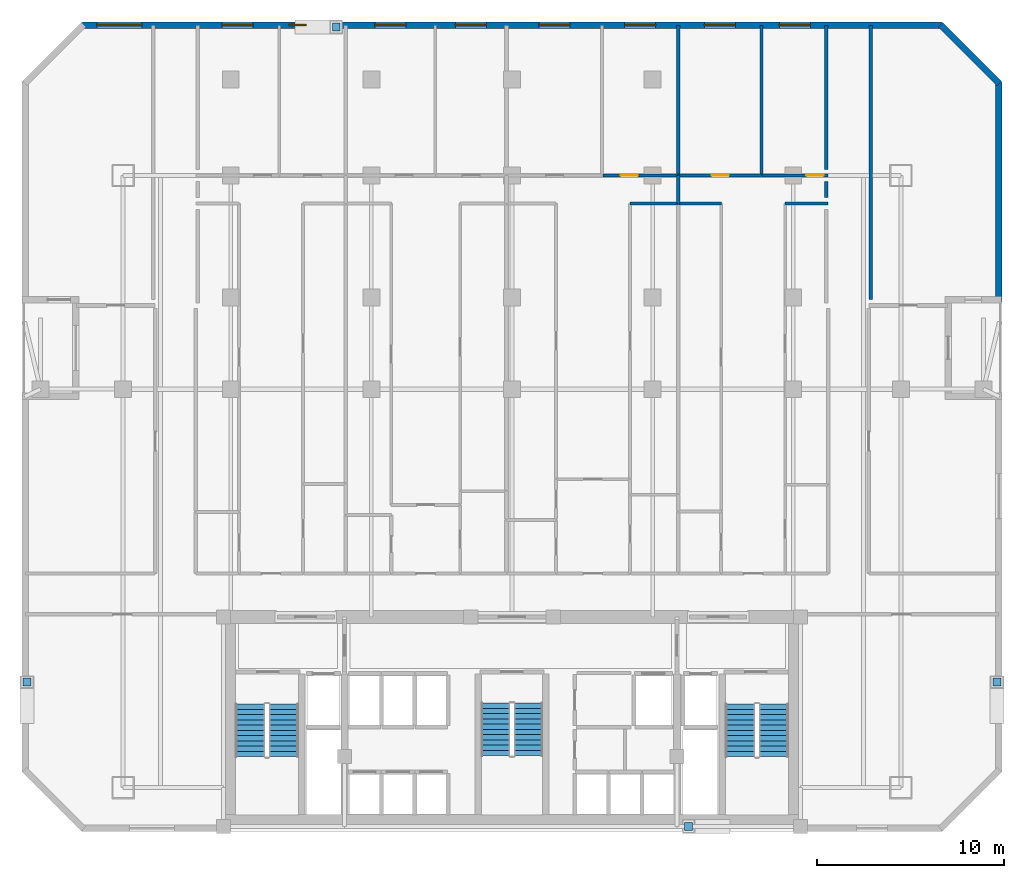
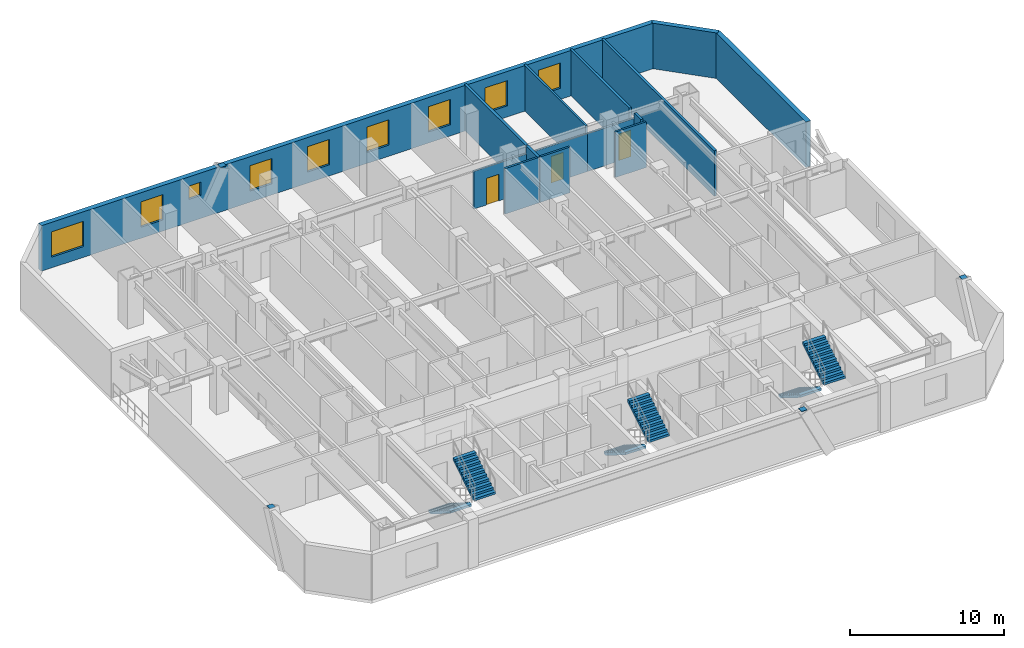
# One storey, part 7 of 9: 15 walls, 9 windows, 6 stair flights, 4 discrete accessories, 3 doors, 12 openings, 3 elements without a shape of their own.
"""IFC4 building model written with IfcOpenShell, lengths in metres."""

from ifc_helpers import new_model, si_unit, direction, frame, frame_2d, origin, origin_2d, place, context, subcontext, project, spatial, polyline, rectangle, outline, extrude, material, layer, layer_set, type_object, element, fill, aggregate, save


model = new_model("IFC4")

# Units and contexts
model_context = context("Model", 3, precision=1e-05, world=origin(), true_north=direction((0.0, 1.0)))
body_context = subcontext(model_context, "Body", "Model", "MODEL_VIEW")
ifc_project = project(units=[si_unit("LENGTHUNIT", "METRE"), si_unit("AREAUNIT", "SQUARE_METRE"), si_unit("VOLUMEUNIT", "CUBIC_METRE"), si_unit("PLANEANGLEUNIT", "RADIAN"), si_unit("MASSUNIT", "GRAM", prefix="KILO")], contexts=[model_context])

# Site, building, storey
site_placement = place(None, origin())
site = spatial("IfcSite", under=ifc_project, at=site_placement, CompositionType="ELEMENT")
building_placement = place(site_placement, origin())
building = spatial("IfcBuilding", under=site, at=building_placement, Name="Ventersveld Concourse Tower", CompositionType="ELEMENT")
storey_placement = place(building_placement, frame((0.0, 0.0, 100.300048828125)))
storey = spatial("IfcBuildingStorey", under=building, at=storey_placement, Name="L24", CompositionType="ELEMENT", Elevation=100.300048828125)

# Walls
ifc_material_1 = material(Name="Fire-rated autoclaved aerated masonry blockwork", Category="masonry")
ifc_layer_1 = layer(ifc_material_1, 0.179931640625)
ifc_layer_set_1 = layer_set([ifc_layer_1], Name="Fire-rated autoclaved aerated masonry blockwork")
wall_type_1 = type_object("IfcWallType", Name="WL-CORR-180", PredefinedType="PARTITIONING", material=ifc_layer_set_1)
wall_1_placement = place(storey_placement, frame((47.8798828125, 28.39501953125, 0.0), z_axis=(0.0, 0.0, 1.0), x_axis=(0.0, 1.0, 0.0)))
element("IfcWall", 1, at=wall_1_placement, inside=storey, type_object=wall_type_1, Name="L24 Room Enclosure Wall SP-L24-NELNG2", PredefinedType="PARTITIONING", context=body_context, shape_type="SweptSolid", body=[
    extrude(rectangle(XDim=14.594970703125, YDim=0.179931640625, at=frame_2d((7.29736328125, 0.0))), origin(), (0.0, 0.0, 1.0), 3.599853515625),
])
wall_2_placement = place(storey_placement, frame((45.52001953125, 34.675048828125, 0.0), z_axis=(0.0, 0.0, 1.0), x_axis=(0.0, -1.0, 0.0)))
element("IfcWall", 2, at=wall_2_placement, inside=storey, type_object=wall_type_1, Name="L24 Room Enclosure Wall SP-L24-24N4-LIV", PredefinedType="PARTITIONING", context=body_context, shape_type="SweptSolid", body=[
    extrude(rectangle(XDim=0.85009765625, YDim=0.179931640625, at=frame_2d((0.425048828125, 0.0))), origin(), (0.0, 0.0, 1.0), 3.599853515625),
])
wall_3_placement = place(storey_placement, frame((45.52001953125, 42.989990234375, 0.0), z_axis=(0.0, 0.0, 1.0), x_axis=(0.0, -1.0, 0.0)))
element("IfcWall", 3, at=wall_3_placement, inside=storey, type_object=wall_type_1, Name="L24 Room Enclosure Wall SP-L24-24N4-BR2", PredefinedType="PARTITIONING", context=body_context, shape_type="SweptSolid", body=[
    extrude(rectangle(XDim=7.6650390625, YDim=0.179931640625, at=frame_2d((3.83251953125, 0.0))), origin(), (0.0, 0.0, 1.0), 3.599853515625),
])
ifc_layer_2 = layer(ifc_material_1, 0.199951171875)
ifc_layer_set_2 = layer_set([ifc_layer_2], Name="Fire-rated autoclaved aerated masonry blockwork")
wall_type_2 = type_object("IfcWallType", Name="WL-DEMISE-200", PredefinedType="PARTITIONING", material=ifc_layer_set_2)
wall_4_placement = place(storey_placement, frame((37.620849609375, 33.4951171875, 0.0), z_axis=(0.0, 0.0, 1.0), x_axis=(0.0, 1.0, 0.0)))
element("IfcWall", 4, at=wall_4_placement, inside=storey, type_object=wall_type_2, Name="L24 Interior Partition SP-L24-24N3-LIV-SP-L24-24N4-LIV", PredefinedType="PARTITIONING", context=body_context, shape_type="SweptSolid", body=[
    extrude(rectangle(XDim=1.509765625, YDim=0.199951171875, at=frame_2d((0.7548828125, 0.0))), origin(), (0.0, 0.0, 1.0), 3.599853515625),
])
wall_5_placement = place(storey_placement, frame((37.620849609375, 35.034912109375, 0.0), z_axis=(0.0, 0.0, 1.0), x_axis=(0.0, 1.0, 0.0)))
element("IfcWall", 5, at=wall_5_placement, inside=storey, type_object=wall_type_2, Name="L24 Interior Partition SP-L24-24N3-BR2-SP-L24-24N4-BR1", PredefinedType="PARTITIONING", context=body_context, shape_type="SweptSolid", body=[
    extrude(rectangle(XDim=7.955078125, YDim=0.199951171875, at=frame_2d((3.9775390625, 0.0))), origin(), (0.0, 0.0, 1.0), 3.599853515625),
])
ifc_material_2 = material(Name="Autoclaved aerated masonry blockwork", Category="masonry")
ifc_layer_3 = layer(ifc_material_2, 0.14990234375)
ifc_layer_set_3 = layer_set([ifc_layer_3], Name="Autoclaved aerated masonry blockwork")
wall_type_3 = type_object("IfcWallType", Name="WL-INT-150", PredefinedType="PARTITIONING", material=ifc_layer_set_3)
wall_6_placement = place(storey_placement, frame((35.04736328125, 33.5, 0.0), z_axis=(0.0, 0.0, 1.0), x_axis=(1.0, 0.0, 0.0)))
element("IfcWall", 6, at=wall_6_placement, inside=storey, type_object=wall_type_3, Name="L24 Interior Partition SP-L24-24N3-LIV-SP-L24-24N3-DENR", PredefinedType="PARTITIONING", context=body_context, shape_type="SweptSolid", body=[
    extrude(rectangle(XDim=2.578369140625, YDim=0.14990234375, at=frame_2d((1.2890625, 0.0))), origin(), (0.0, 0.0, 1.0), 3.599853515625),
])

# Wall, opening, door
wall_7_placement = place(storey_placement, frame((33.59130859375, 35.0, 0.0), z_axis=(0.0, 0.0, 1.0), x_axis=(1.0, 0.0, 0.0)))
wall_7 = element("IfcWall", 7, at=wall_7_placement, inside=storey, type_object=wall_type_3, Name="L24 Interior Partition SP-L24-24N3-LIV-SP-L24-24N3-BR2", PredefinedType="PARTITIONING", context=body_context, shape_type="SweptSolid", body=[
    extrude(rectangle(XDim=4.034423828125, YDim=0.14990234375, at=frame_2d((2.01708984375, 0.0))), origin(), (0.0, 0.0, 1.0), 2.982666015625),
])
opening_1_placement = place(wall_7_placement, frame((0.951904296875, 0.0, 0.0)))
opening_1 = element("IfcOpeningElement", 8, at=opening_1_placement, cuts=wall_7, Name="Opening ID1", PredefinedType="OPENING", context=body_context, shape_type="SweptSolid", body=[
    extrude(rectangle(XDim=0.919921875, YDim=2.10009765625, at=frame_2d((0.4599609375, 1.050048828125))), frame((0.0, 0.0849609375, 0.0), z_axis=(0.0, -1.0, 0.0), x_axis=(1.0, 0.0, 0.0)), (0.0, 0.0, 1.0), 0.169921875),
])
ifc_material_3 = material(Name="Solid-core hardwood veneer timber", Category="wood")
door_type = type_object("IfcDoorType", Name="DR-ROOM-092", OperationType="NOTDEFINED", PredefinedType="DOOR", material=ifc_material_3)
door_1_placement = place(opening_1_placement, origin())
door_1 = element("IfcDoor", 9, at=door_1_placement, inside=storey, type_object=door_type, Name="L24 Interior Door SP-L24-24N3-LIV to SP-L24-24N3-BR2 (D-L24-1202)", OperationType="SINGLE_SWING_RIGHT", OverallHeight=2.10009765625, OverallWidth=0.919921875, PredefinedType="DOOR", context=body_context, shape_type="SweptSolid", body=[
    extrude(rectangle(XDim=0.919921875, YDim=2.10009765625, at=frame_2d((0.4599609375, 1.050048828125))), frame((0.0, 0.02490234375, 0.0), z_axis=(0.0, -1.0, 0.0), x_axis=(1.0, 0.0, 0.0)), (0.0, 0.0, 1.0), 0.050048828125),
])
fill(opening_1, door_1)

# Walls
wall_8_placement = place(storey_placement, frame((37.65576171875, 33.5, 0.0), z_axis=(0.0, 0.0, 1.0), x_axis=(1.0, 0.0, 0.0)))
element("IfcWall", 10, at=wall_8_placement, inside=storey, type_object=wall_type_3, Name="L24 Interior Partition SP-L24-24N4-LIV-SP-L24-24N4-DENL", PredefinedType="PARTITIONING", context=body_context, shape_type="SweptSolid", body=[
    extrude(rectangle(XDim=2.258544921875, YDim=0.14990234375, at=frame_2d((1.12939453125, 0.0))), origin(), (0.0, 0.0, 1.0), 3.599853515625),
])
wall_9_placement = place(storey_placement, frame((43.31640625, 33.5, 0.0), z_axis=(0.0, 0.0, 1.0), x_axis=(1.0, 0.0, 0.0)))
element("IfcWall", 11, at=wall_9_placement, inside=storey, type_object=wall_type_3, Name="L24 Interior Partition SP-L24-24N4-LIV-SP-L24-24N4-DENR", PredefinedType="PARTITIONING", context=body_context, shape_type="SweptSolid", body=[
    extrude(rectangle(XDim=2.298583984375, YDim=0.14990234375, at=frame_2d((1.1494140625, 0.0))), origin(), (0.0, 0.0, 1.0), 3.599853515625),
])

# Wall, opening, door
wall_10_placement = place(storey_placement, frame((37.65576171875, 35.0, 0.0), z_axis=(0.0, 0.0, 1.0), x_axis=(1.0, 0.0, 0.0)))
wall_10 = element("IfcWall", 12, at=wall_10_placement, inside=storey, type_object=wall_type_3, Name="L24 Interior Partition SP-L24-24N4-LIV-SP-L24-24N4-BR1", PredefinedType="PARTITIONING", context=body_context, shape_type="SweptSolid", body=[
    extrude(rectangle(XDim=4.413330078125, YDim=0.14990234375, at=frame_2d((2.20654296875, 0.0))), origin(), (0.0, 0.0, 1.0), 2.982666015625),
])
opening_2_placement = place(wall_10_placement, frame((1.74658203125, 0.0, 0.0)))
opening_2 = element("IfcOpeningElement", 13, at=opening_2_placement, cuts=wall_10, Name="Opening ID1", PredefinedType="OPENING", context=body_context, shape_type="SweptSolid", body=[
    extrude(rectangle(XDim=0.919921875, YDim=2.10009765625, at=frame_2d((0.4599609375, 1.050048828125))), frame((0.0, 0.0849609375, 0.0), z_axis=(0.0, -1.0, 0.0), x_axis=(1.0, 0.0, 0.0)), (0.0, 0.0, 1.0), 0.169921875),
])
door_2_placement = place(opening_2_placement, origin())
door_2 = element("IfcDoor", 14, at=door_2_placement, inside=storey, type_object=door_type, Name="L24 Interior Door SP-L24-24N4-LIV to SP-L24-24N4-BR1 (D-L24-1207)", OperationType="SINGLE_SWING_LEFT", OverallHeight=2.10009765625, OverallWidth=0.919921875, PredefinedType="DOOR", context=body_context, shape_type="SweptSolid", body=[
    extrude(rectangle(XDim=0.919921875, YDim=2.10009765625, at=frame_2d((0.4599609375, 1.050048828125))), frame((0.0, 0.02490234375, 0.0), z_axis=(0.0, -1.0, 0.0), x_axis=(1.0, 0.0, 0.0)), (0.0, 0.0, 1.0), 0.050048828125),
])
fill(opening_2, door_2)

wall_11_placement = place(storey_placement, frame((42.09912109375, 35.0, 0.0), z_axis=(0.0, 0.0, 1.0), x_axis=(1.0, 0.0, 0.0)))
wall_11 = element("IfcWall", 15, at=wall_11_placement, inside=storey, type_object=wall_type_3, Name="L24 Interior Partition SP-L24-24N4-LIV-SP-L24-24N4-BR2", PredefinedType="PARTITIONING", context=body_context, shape_type="SweptSolid", body=[
    extrude(rectangle(XDim=3.515869140625, YDim=0.14990234375, at=frame_2d((1.7578125, 0.0))), origin(), (0.0, 0.0, 1.0), 2.982666015625),
])
opening_3_placement = place(wall_11_placement, frame((2.3525390625, 0.0, 0.0)))
opening_3 = element("IfcOpeningElement", 16, at=opening_3_placement, cuts=wall_11, Name="Opening ID1", PredefinedType="OPENING", context=body_context, shape_type="SweptSolid", body=[
    extrude(rectangle(XDim=0.919921875, YDim=2.10009765625, at=frame_2d((0.4599609375, 1.050048828125))), frame((0.0, 0.0849609375, 0.0), z_axis=(0.0, -1.0, 0.0), x_axis=(1.0, 0.0, 0.0)), (0.0, 0.0, 1.0), 0.169921875),
])
door_3_placement = place(opening_3_placement, origin())
door_3 = element("IfcDoor", 17, at=door_3_placement, inside=storey, type_object=door_type, Name="L24 Interior Door SP-L24-24N4-LIV to SP-L24-24N4-BR2 (D-L24-1208)", OperationType="SINGLE_SWING_RIGHT", OverallHeight=2.10009765625, OverallWidth=0.919921875, PredefinedType="DOOR", context=body_context, shape_type="SweptSolid", body=[
    extrude(rectangle(XDim=0.919921875, YDim=2.10009765625, at=frame_2d((0.4599609375, 1.050048828125))), frame((0.0, 0.02490234375, 0.0), z_axis=(0.0, -1.0, 0.0), x_axis=(1.0, 0.0, 0.0)), (0.0, 0.0, 1.0), 0.050048828125),
])
fill(opening_3, door_3)

# Walls
wall_12_placement = place(storey_placement, frame((42.064208984375, 34.9951171875, 0.0), z_axis=(0.0, 0.0, 1.0), x_axis=(0.0, 1.0, 0.0)))
element("IfcWall", 18, at=wall_12_placement, inside=storey, type_object=wall_type_3, Name="L24 Interior Partition SP-L24-24N4-BR1-SP-L24-24N4-BR2", PredefinedType="PARTITIONING", context=body_context, shape_type="SweptSolid", body=[
    extrude(rectangle(XDim=7.994873046875, YDim=0.14990234375, at=frame_2d((3.99755859375, 0.0))), origin(), (0.0, 0.0, 1.0), 3.599853515625),
])
ifc_material_4 = material(Name="Precast concrete C45/55", Category="concrete")
ifc_layer_4 = layer(ifc_material_4, 0.35009765625)
ifc_layer_set_4 = layer_set([ifc_layer_4], Name="Precast concrete C45/55")
wall_type_4 = type_object("IfcWallType", Name="WL-PREC-350", PredefinedType="SOLIDWALL", material=ifc_layer_set_4)
wall_13_placement = place(storey_placement, frame((54.72509765625, 28.239990234375, 0.0), z_axis=(0.0, 0.0, 1.0), x_axis=(0.0, 1.0, 0.0)))
element("IfcWall", 19, at=wall_13_placement, inside=storey, type_object=wall_type_4, Name="L24 Highveld Precast Facade Wall E07", PredefinedType="SOLIDWALL", context=body_context, shape_type="SweptSolid", body=[
    extrude(rectangle(XDim=11.719970703125, YDim=0.35009765625, at=frame_2d((5.85986328125, 0.0))), origin(), (0.0, 0.0, 1.0), 3.599853515625),
])
wall_14_placement = place(storey_placement, frame((54.748046875, 39.904541015625, 0.0), z_axis=(0.0, 0.0, 1.0), x_axis=(-0.707106781187, 0.707106781187, 0.0)))
element("IfcWall", 20, at=wall_14_placement, inside=storey, type_object=wall_type_4, Name="L24 Highveld Precast Facade Wall E08", PredefinedType="SOLIDWALL", context=body_context, shape_type="SweptSolid", body=[
    extrude(rectangle(XDim=4.445556640625, YDim=0.35009765625, at=frame_2d((2.22265625, 0.0))), origin(), (0.0, 0.0, 1.0), 3.599853515625),
])

# Wall, openings, windows
wall_15_placement = place(storey_placement, frame((51.659912109375, 43.02490234375, 0.0), z_axis=(0.0, 0.0, 1.0), x_axis=(-1.0, 0.0, 0.0)))
wall_15 = element("IfcWall", 21, at=wall_15_placement, inside=storey, type_object=wall_type_4, Name="L24 Highveld Precast Facade Wall E09", PredefinedType="SOLIDWALL", context=body_context, shape_type="SweptSolid", body=[
    extrude(rectangle(XDim=45.81982421875, YDim=0.35009765625, at=frame_2d((22.909912109375, 0.0))), origin(), (0.0, 0.0, 1.0), 3.599853515625),
])
opening_4_placement = place(wall_15_placement, frame((42.64990234375, 0.0, 0.85009765625)))
opening_4 = element("IfcOpeningElement", 22, at=opening_4_placement, cuts=wall_15, Name="Opening W5", PredefinedType="OPENING", context=body_context, shape_type="SweptSolid", body=[
    extrude(rectangle(XDim=2.39990234375, YDim=2.0, at=frame_2d((1.199951171875, 1.0))), frame((0.0, 0.18505859375, 0.0), z_axis=(0.0, -1.0, 0.0), x_axis=(1.0, 0.0, 0.0)), (0.0, 0.0, 1.0), 0.3701171875),
])
opening_5_placement = place(wall_15_placement, frame((36.723388671875, 0.0, 0.8798828125)))
opening_5 = element("IfcOpeningElement", 23, at=opening_5_placement, cuts=wall_15, Name="Opening W6", PredefinedType="OPENING", context=body_context, shape_type="SweptSolid", body=[
    extrude(rectangle(XDim=1.64990234375, YDim=2.0, at=frame_2d((0.824951171875, 1.0))), frame((0.0, 0.18505859375, 0.0), z_axis=(0.0, -1.0, 0.0), x_axis=(1.0, 0.0, 0.0)), (0.0, 0.0, 1.0), 0.3701171875),
])
opening_6_placement = place(wall_15_placement, frame((33.897705078125, 0.0, 1.820068359375)))
opening_6 = element("IfcOpeningElement", 24, at=opening_6_placement, cuts=wall_15, Name="Opening W9", PredefinedType="OPENING", context=body_context, shape_type="SweptSolid", body=[
    extrude(rectangle(XDim=0.89990234375, YDim=1.050048828125, at=frame_2d((0.449951171875, 0.52490234375))), frame((0.0, 0.18505859375, 0.0), z_axis=(0.0, -1.0, 0.0), x_axis=(1.0, 0.0, 0.0)), (0.0, 0.0, 1.0), 0.3701171875),
])
opening_7_placement = place(wall_15_placement, frame((28.56982421875, 0.0, 0.8798828125)))
opening_7 = element("IfcOpeningElement", 25, at=opening_7_placement, cuts=wall_15, Name="Opening W6", PredefinedType="OPENING", context=body_context, shape_type="SweptSolid", body=[
    extrude(rectangle(XDim=1.64990234375, YDim=2.0, at=frame_2d((0.824951171875, 1.0))), frame((0.0, 0.18505859375, 0.0), z_axis=(0.0, -1.0, 0.0), x_axis=(1.0, 0.0, 0.0)), (0.0, 0.0, 1.0), 0.3701171875),
])
opening_8_placement = place(wall_15_placement, frame((24.281494140625, 0.0, 0.8798828125)))
opening_8 = element("IfcOpeningElement", 26, at=opening_8_placement, cuts=wall_15, Name="Opening W6", PredefinedType="OPENING", context=body_context, shape_type="SweptSolid", body=[
    extrude(rectangle(XDim=1.64990234375, YDim=2.0, at=frame_2d((0.824951171875, 1.0))), frame((0.0, 0.18505859375, 0.0), z_axis=(0.0, -1.0, 0.0), x_axis=(1.0, 0.0, 0.0)), (0.0, 0.0, 1.0), 0.3701171875),
])
opening_9_placement = place(wall_15_placement, frame((19.82861328125, 0.0, 0.8798828125)))
opening_9 = element("IfcOpeningElement", 27, at=opening_9_placement, cuts=wall_15, Name="Opening W6", PredefinedType="OPENING", context=body_context, shape_type="SweptSolid", body=[
    extrude(rectangle(XDim=1.64990234375, YDim=2.0, at=frame_2d((0.824951171875, 1.0))), frame((0.0, 0.18505859375, 0.0), z_axis=(0.0, -1.0, 0.0), x_axis=(1.0, 0.0, 0.0)), (0.0, 0.0, 1.0), 0.3701171875),
])
opening_10_placement = place(wall_15_placement, frame((15.246337890625, 0.0, 0.8798828125)))
opening_10 = element("IfcOpeningElement", 28, at=opening_10_placement, cuts=wall_15, Name="Opening W6", PredefinedType="OPENING", context=body_context, shape_type="SweptSolid", body=[
    extrude(rectangle(XDim=1.64990234375, YDim=2.0, at=frame_2d((0.824951171875, 1.0))), frame((0.0, 0.18505859375, 0.0), z_axis=(0.0, -1.0, 0.0), x_axis=(1.0, 0.0, 0.0)), (0.0, 0.0, 1.0), 0.3701171875),
])
opening_11_placement = place(wall_15_placement, frame((10.992431640625, 0.0, 0.8798828125)))
opening_11 = element("IfcOpeningElement", 29, at=opening_11_placement, cuts=wall_15, Name="Opening W6", PredefinedType="OPENING", context=body_context, shape_type="SweptSolid", body=[
    extrude(rectangle(XDim=1.64990234375, YDim=2.0, at=frame_2d((0.824951171875, 1.0))), frame((0.0, 0.18505859375, 0.0), z_axis=(0.0, -1.0, 0.0), x_axis=(1.0, 0.0, 0.0)), (0.0, 0.0, 1.0), 0.3701171875),
])
opening_12_placement = place(wall_15_placement, frame((6.997802734375, 0.0, 0.8798828125)))
opening_12 = element("IfcOpeningElement", 30, at=opening_12_placement, cuts=wall_15, Name="Opening W6", PredefinedType="OPENING", context=body_context, shape_type="SweptSolid", body=[
    extrude(rectangle(XDim=1.64990234375, YDim=2.0, at=frame_2d((0.824951171875, 1.0))), frame((0.0, 0.18505859375, 0.0), z_axis=(0.0, -1.0, 0.0), x_axis=(1.0, 0.0, 0.0)), (0.0, 0.0, 1.0), 0.3701171875),
])
ifc_material_5 = material(Name="Tempered acoustic Low-E IGU", Category="glass")
window_type_1 = type_object("IfcWindowType", Name="WIN-090x105", PartitioningType="SINGLE_PANEL", PredefinedType="WINDOW", material=ifc_material_5)
window_1_placement = place(opening_6_placement, origin())
window_1 = element("IfcWindow", 31, at=window_1_placement, inside=storey, type_object=window_type_1, Name="L24 Punched Low-E Window W-0280", OverallHeight=1.050048828125, OverallWidth=0.89990234375, PartitioningType="SINGLE_PANEL", PredefinedType="WINDOW", context=body_context, shape_type="SweptSolid", body=[
    extrude(rectangle(XDim=0.89990234375, YDim=1.050048828125, at=frame_2d((0.449951171875, 0.52490234375))), frame((0.0, 0.030029296875, 0.0), z_axis=(0.0, -1.0, 0.0), x_axis=(1.0, 0.0, 0.0)), (0.0, 0.0, 1.0), 0.06005859375),
])
fill(opening_6, window_1)
window_type_2 = type_object("IfcWindowType", Name="WIN-165x200", PartitioningType="SINGLE_PANEL", PredefinedType="WINDOW", material=ifc_material_5)
window_2_placement = place(opening_5_placement, origin())
window_2 = element("IfcWindow", 32, at=window_2_placement, inside=storey, type_object=window_type_2, Name="L24 Punched Low-E Window W-0279", OverallHeight=2.0, OverallWidth=1.64990234375, PartitioningType="SINGLE_PANEL", PredefinedType="WINDOW", context=body_context, shape_type="SweptSolid", body=[
    extrude(rectangle(XDim=1.64990234375, YDim=2.0, at=frame_2d((0.824951171875, 1.0))), frame((0.0, 0.030029296875, 0.0), z_axis=(0.0, -1.0, 0.0), x_axis=(1.0, 0.0, 0.0)), (0.0, 0.0, 1.0), 0.06005859375),
])
fill(opening_5, window_2)
window_3_placement = place(opening_7_placement, origin())
window_3 = element("IfcWindow", 33, at=window_3_placement, inside=storey, type_object=window_type_2, Name="L24 Punched Low-E Window W-0281", OverallHeight=2.0, OverallWidth=1.64990234375, PartitioningType="SINGLE_PANEL", PredefinedType="WINDOW", context=body_context, shape_type="SweptSolid", body=[
    extrude(rectangle(XDim=1.64990234375, YDim=2.0, at=frame_2d((0.824951171875, 1.0))), frame((0.0, 0.030029296875, 0.0), z_axis=(0.0, -1.0, 0.0), x_axis=(1.0, 0.0, 0.0)), (0.0, 0.0, 1.0), 0.06005859375),
])
fill(opening_7, window_3)
window_4_placement = place(opening_8_placement, origin())
window_4 = element("IfcWindow", 34, at=window_4_placement, inside=storey, type_object=window_type_2, Name="L24 Punched Low-E Window W-0282", OverallHeight=2.0, OverallWidth=1.64990234375, PartitioningType="SINGLE_PANEL", PredefinedType="WINDOW", context=body_context, shape_type="SweptSolid", body=[
    extrude(rectangle(XDim=1.64990234375, YDim=2.0, at=frame_2d((0.824951171875, 1.0))), frame((0.0, 0.030029296875, 0.0), z_axis=(0.0, -1.0, 0.0), x_axis=(1.0, 0.0, 0.0)), (0.0, 0.0, 1.0), 0.06005859375),
])
fill(opening_8, window_4)
window_5_placement = place(opening_9_placement, origin())
window_5 = element("IfcWindow", 35, at=window_5_placement, inside=storey, type_object=window_type_2, Name="L24 Punched Low-E Window W-0283", OverallHeight=2.0, OverallWidth=1.64990234375, PartitioningType="SINGLE_PANEL", PredefinedType="WINDOW", context=body_context, shape_type="SweptSolid", body=[
    extrude(rectangle(XDim=1.64990234375, YDim=2.0, at=frame_2d((0.824951171875, 1.0))), frame((0.0, 0.030029296875, 0.0), z_axis=(0.0, -1.0, 0.0), x_axis=(1.0, 0.0, 0.0)), (0.0, 0.0, 1.0), 0.06005859375),
])
fill(opening_9, window_5)
window_6_placement = place(opening_10_placement, origin())
window_6 = element("IfcWindow", 36, at=window_6_placement, inside=storey, type_object=window_type_2, Name="L24 Punched Low-E Window W-0284", OverallHeight=2.0, OverallWidth=1.64990234375, PartitioningType="SINGLE_PANEL", PredefinedType="WINDOW", context=body_context, shape_type="SweptSolid", body=[
    extrude(rectangle(XDim=1.64990234375, YDim=2.0, at=frame_2d((0.824951171875, 1.0))), frame((0.0, 0.030029296875, 0.0), z_axis=(0.0, -1.0, 0.0), x_axis=(1.0, 0.0, 0.0)), (0.0, 0.0, 1.0), 0.06005859375),
])
fill(opening_10, window_6)
window_7_placement = place(opening_11_placement, origin())
window_7 = element("IfcWindow", 37, at=window_7_placement, inside=storey, type_object=window_type_2, Name="L24 Punched Low-E Window W-0285", OverallHeight=2.0, OverallWidth=1.64990234375, PartitioningType="SINGLE_PANEL", PredefinedType="WINDOW", context=body_context, shape_type="SweptSolid", body=[
    extrude(rectangle(XDim=1.64990234375, YDim=2.0, at=frame_2d((0.824951171875, 1.0))), frame((0.0, 0.030029296875, 0.0), z_axis=(0.0, -1.0, 0.0), x_axis=(1.0, 0.0, 0.0)), (0.0, 0.0, 1.0), 0.06005859375),
])
fill(opening_11, window_7)
window_8_placement = place(opening_12_placement, origin())
window_8 = element("IfcWindow", 38, at=window_8_placement, inside=storey, type_object=window_type_2, Name="L24 Punched Low-E Window W-0286", OverallHeight=2.0, OverallWidth=1.64990234375, PartitioningType="SINGLE_PANEL", PredefinedType="WINDOW", context=body_context, shape_type="SweptSolid", body=[
    extrude(rectangle(XDim=1.64990234375, YDim=2.0, at=frame_2d((0.824951171875, 1.0))), frame((0.0, 0.030029296875, 0.0), z_axis=(0.0, -1.0, 0.0), x_axis=(1.0, 0.0, 0.0)), (0.0, 0.0, 1.0), 0.06005859375),
])
fill(opening_12, window_8)
window_type_3 = type_object("IfcWindowType", Name="WIN-240x210", PartitioningType="SINGLE_PANEL", PredefinedType="WINDOW", material=ifc_material_5)
window_9_placement = place(opening_4_placement, origin())
window_9 = element("IfcWindow", 39, at=window_9_placement, inside=storey, type_object=window_type_3, Name="L24 Punched Low-E Window W-0276", OverallHeight=2.0, OverallWidth=2.39990234375, PartitioningType="SINGLE_PANEL", PredefinedType="WINDOW", context=body_context, shape_type="SweptSolid", body=[
    extrude(rectangle(XDim=2.39990234375, YDim=2.0, at=frame_2d((1.199951171875, 1.0))), frame((0.0, 0.030029296875, 0.0), z_axis=(0.0, -1.0, 0.0), x_axis=(1.0, 0.0, 0.0)), (0.0, 0.0, 1.0), 0.06005859375),
])
fill(opening_4, window_9)

# Stair, stair flights
ifc_material_6 = material(Name="Concrete C50/60", Category="concrete")
stair_type_1 = type_object("IfcStairType", Name="ST-DOG-155", PredefinedType="HALF_TURN_STAIR", material=ifc_material_6)
stair_1_placement = place(storey_placement, origin())
stair_1 = element("IfcStair", 40, at=stair_1_placement, inside=storey, type_object=stair_type_1, Name="L24 Protected Central Core Escape Stair ST-03", PredefinedType="HALF_TURN_STAIR")
stair_flight_type_1 = type_object("IfcStairFlightType", Name="STF-RC-155", PredefinedType="STRAIGHT", material=ifc_material_6)
stair_flight_1_placement = place(storey_placement, frame((27.875, 6.85009765625, 0.0), z_axis=(0.0, 0.0, 1.0), x_axis=(0.0, -1.0, 0.0)))
stair_flight_1 = element("IfcStairFlight", 41, at=stair_flight_1_placement, type_object=stair_flight_type_1, Name="ST-03 flight 1", NumberOfRisers=11, NumberOfTreads=10, PredefinedType="STRAIGHT", RiserHeight=0.175, TreadLength=0.28, context=body_context, shape_type="SweptSolid", body=[
    extrude(outline(polyline([(0.0, 0.0), (0.0, 0.175048828125), (0.280029296875, 0.175048828125), (0.280029296875, 0.35009765625), (0.56005859375, 0.35009765625), (0.56005859375, 0.52490234375), (0.840087890625, 0.52490234375), (0.840087890625, 0.699951171875), (1.1201171875, 0.699951171875), (1.1201171875, 0.875), (1.39990234375, 0.875), (1.39990234375, 1.050048828125), (1.679931640625, 1.050048828125), (1.679931640625, 1.22509765625), (1.9599609375, 1.22509765625), (1.9599609375, 1.39990234375), (2.239990234375, 1.39990234375), (2.239990234375, 1.574951171875), (2.52001953125, 1.574951171875), (2.52001953125, 1.75), (2.800048828125, 1.75), (2.800048828125, 1.925048828125), (2.800048828125, 1.5732421875), (0.28271484375, 0.0), (0.0, 0.0)])), frame((0.0, 0.77490234375, 0.0), z_axis=(0.0, -1.0, 0.0), x_axis=(1.0, 0.0, 0.0)), (0.0, 0.0, 1.0), 1.550048828125),
])
stair_flight_2_placement = place(storey_placement, frame((29.625, 4.050048828125, 1.925048828125), z_axis=(0.0, 0.0, 1.0), x_axis=(0.0, 1.0, 0.0)))
stair_flight_2 = element("IfcStairFlight", 42, at=stair_flight_2_placement, type_object=stair_flight_type_1, Name="ST-03 flight 2", NumberOfRisers=11, NumberOfTreads=10, PredefinedType="STRAIGHT", RiserHeight=0.175, TreadLength=0.28, context=body_context, shape_type="SweptSolid", body=[
    extrude(outline(polyline([(0.0, 0.0), (0.0, 0.175048828125), (0.280029296875, 0.175048828125), (0.280029296875, 0.35009765625), (0.56005859375, 0.35009765625), (0.56005859375, 0.52490234375), (0.840087890625, 0.52490234375), (0.840087890625, 0.699951171875), (1.1201171875, 0.699951171875), (1.1201171875, 0.875), (1.39990234375, 0.875), (1.39990234375, 1.050048828125), (1.679931640625, 1.050048828125), (1.679931640625, 1.22509765625), (1.9599609375, 1.22509765625), (1.9599609375, 1.39990234375), (2.239990234375, 1.39990234375), (2.239990234375, 1.574951171875), (2.52001953125, 1.574951171875), (2.52001953125, 1.75), (2.800048828125, 1.75), (2.800048828125, 1.925048828125), (2.800048828125, 1.5732421875), (0.28271484375, 0.0), (0.0, 0.0)])), frame((0.0, 0.77490234375, 0.0), z_axis=(0.0, -1.0, 0.0), x_axis=(1.0, 0.0, 0.0)), (0.0, 0.0, 1.0), 1.550048828125),
])
aggregate(stair_1, [stair_flight_1, stair_flight_2])

stair_type_2 = type_object("IfcStairType", Name="ST-DOG-160", PredefinedType="HALF_TURN_STAIR", material=ifc_material_6)
stair_2_placement = place(storey_placement, origin())
stair_2 = element("IfcStair", 43, at=stair_2_placement, inside=storey, type_object=stair_type_2, Name="L24 Protected Tower Escape Stair ST-01", PredefinedType="HALF_TURN_STAIR")
stair_flight_type_2 = type_object("IfcStairFlightType", Name="STF-RC-160", PredefinedType="STRAIGHT", material=ifc_material_6)
stair_flight_3_placement = place(storey_placement, frame((14.780029296875, 6.800048828125, 0.0), z_axis=(0.0, 0.0, 1.0), x_axis=(0.0, -1.0, 0.0)))
stair_flight_3 = element("IfcStairFlight", 44, at=stair_flight_3_placement, type_object=stair_flight_type_2, Name="ST-01 flight 1", NumberOfRisers=11, NumberOfTreads=10, PredefinedType="STRAIGHT", RiserHeight=0.175, TreadLength=0.28, context=body_context, shape_type="SweptSolid", body=[
    extrude(outline(polyline([(0.0, 0.0), (0.0, 0.175048828125), (0.280029296875, 0.175048828125), (0.280029296875, 0.35009765625), (0.56005859375, 0.35009765625), (0.56005859375, 0.52490234375), (0.840087890625, 0.52490234375), (0.840087890625, 0.699951171875), (1.1201171875, 0.699951171875), (1.1201171875, 0.875), (1.39990234375, 0.875), (1.39990234375, 1.050048828125), (1.679931640625, 1.050048828125), (1.679931640625, 1.22509765625), (1.9599609375, 1.22509765625), (1.9599609375, 1.39990234375), (2.239990234375, 1.39990234375), (2.239990234375, 1.574951171875), (2.52001953125, 1.574951171875), (2.52001953125, 1.75), (2.800048828125, 1.75), (2.800048828125, 1.925048828125), (2.800048828125, 1.5732421875), (0.28271484375, 0.0), (0.0, 0.0)])), frame((0.0, 0.800048828125, 0.0), z_axis=(0.0, -1.0, 0.0), x_axis=(1.0, 0.0, 0.0)), (0.0, 0.0, 1.0), 1.60009765625),
])
stair_flight_4_placement = place(storey_placement, frame((16.580078125, 4.0, 1.925048828125), z_axis=(0.0, 0.0, 1.0), x_axis=(0.0, 1.0, 0.0)))
stair_flight_4 = element("IfcStairFlight", 45, at=stair_flight_4_placement, type_object=stair_flight_type_2, Name="ST-01 flight 2", NumberOfRisers=11, NumberOfTreads=10, PredefinedType="STRAIGHT", RiserHeight=0.175, TreadLength=0.28, context=body_context, shape_type="SweptSolid", body=[
    extrude(outline(polyline([(0.0, 0.0), (0.0, 0.175048828125), (0.280029296875, 0.175048828125), (0.280029296875, 0.35009765625), (0.56005859375, 0.35009765625), (0.56005859375, 0.52490234375), (0.840087890625, 0.52490234375), (0.840087890625, 0.699951171875), (1.1201171875, 0.699951171875), (1.1201171875, 0.875), (1.39990234375, 0.875), (1.39990234375, 1.050048828125), (1.679931640625, 1.050048828125), (1.679931640625, 1.22509765625), (1.9599609375, 1.22509765625), (1.9599609375, 1.39990234375), (2.239990234375, 1.39990234375), (2.239990234375, 1.574951171875), (2.52001953125, 1.574951171875), (2.52001953125, 1.75), (2.800048828125, 1.75), (2.800048828125, 1.925048828125), (2.800048828125, 1.5732421875), (0.28271484375, 0.0), (0.0, 0.0)])), frame((0.0, 0.800048828125, 0.0), z_axis=(0.0, -1.0, 0.0), x_axis=(1.0, 0.0, 0.0)), (0.0, 0.0, 1.0), 1.60009765625),
])
aggregate(stair_2, [stair_flight_3, stair_flight_4])

stair_3_placement = place(storey_placement, origin())
stair_3 = element("IfcStair", 46, at=stair_3_placement, inside=storey, type_object=stair_type_2, Name="L24 Protected Tower Escape Stair ST-02", PredefinedType="HALF_TURN_STAIR")
stair_flight_5_placement = place(storey_placement, frame((40.919921875, 6.800048828125, 0.0), z_axis=(0.0, 0.0, 1.0), x_axis=(0.0, -1.0, 0.0)))
stair_flight_5 = element("IfcStairFlight", 47, at=stair_flight_5_placement, type_object=stair_flight_type_2, Name="ST-02 flight 1", NumberOfRisers=11, NumberOfTreads=10, PredefinedType="STRAIGHT", RiserHeight=0.175, TreadLength=0.28, context=body_context, shape_type="SweptSolid", body=[
    extrude(outline(polyline([(0.0, 0.0), (0.0, 0.175048828125), (0.280029296875, 0.175048828125), (0.280029296875, 0.35009765625), (0.56005859375, 0.35009765625), (0.56005859375, 0.52490234375), (0.840087890625, 0.52490234375), (0.840087890625, 0.699951171875), (1.1201171875, 0.699951171875), (1.1201171875, 0.875), (1.39990234375, 0.875), (1.39990234375, 1.050048828125), (1.679931640625, 1.050048828125), (1.679931640625, 1.22509765625), (1.9599609375, 1.22509765625), (1.9599609375, 1.39990234375), (2.239990234375, 1.39990234375), (2.239990234375, 1.574951171875), (2.52001953125, 1.574951171875), (2.52001953125, 1.75), (2.800048828125, 1.75), (2.800048828125, 1.925048828125), (2.800048828125, 1.5732421875), (0.28271484375, 0.0), (0.0, 0.0)])), frame((0.0, 0.800048828125, 0.0), z_axis=(0.0, -1.0, 0.0), x_axis=(1.0, 0.0, 0.0)), (0.0, 0.0, 1.0), 1.60009765625),
])
stair_flight_6_placement = place(storey_placement, frame((42.719970703125, 4.0, 1.925048828125), z_axis=(0.0, 0.0, 1.0), x_axis=(0.0, 1.0, 0.0)))
stair_flight_6 = element("IfcStairFlight", 48, at=stair_flight_6_placement, type_object=stair_flight_type_2, Name="ST-02 flight 2", NumberOfRisers=11, NumberOfTreads=10, PredefinedType="STRAIGHT", RiserHeight=0.175, TreadLength=0.28, context=body_context, shape_type="SweptSolid", body=[
    extrude(outline(polyline([(0.0, 0.0), (0.0, 0.175048828125), (0.280029296875, 0.175048828125), (0.280029296875, 0.35009765625), (0.56005859375, 0.35009765625), (0.56005859375, 0.52490234375), (0.840087890625, 0.52490234375), (0.840087890625, 0.699951171875), (1.1201171875, 0.699951171875), (1.1201171875, 0.875), (1.39990234375, 0.875), (1.39990234375, 1.050048828125), (1.679931640625, 1.050048828125), (1.679931640625, 1.22509765625), (1.9599609375, 1.22509765625), (1.9599609375, 1.39990234375), (2.239990234375, 1.39990234375), (2.239990234375, 1.574951171875), (2.52001953125, 1.574951171875), (2.52001953125, 1.75), (2.800048828125, 1.75), (2.800048828125, 1.925048828125), (2.800048828125, 1.5732421875), (0.28271484375, 0.0), (0.0, 0.0)])), frame((0.0, 0.800048828125, 0.0), z_axis=(0.0, -1.0, 0.0), x_axis=(1.0, 0.0, 0.0)), (0.0, 0.0, 1.0), 1.60009765625),
])
aggregate(stair_3, [stair_flight_5, stair_flight_6])

# Discrete accessories
ifc_material_7 = material(Name="Structural steel S355J2", Category="steel")
discrete_accessory_type = type_object("IfcDiscreteAccessoryType", Name="CONN-BRACE-ECP1", PredefinedType="BRACKET", material=ifc_material_7)
for number, where, z_axis, x_axis, name in (
    (49, (19.375, 42.919921875, 3.579833984375), (0.0, 0.0, 1.0), (1.0, 0.0, 0.0), "L24 Steel Brace End Connection Plate ECP1-0268"),
    (50, (38.175048828125, 0.280029296875, 3.579833984375), (0.0, 0.0, 1.0), (1.0, 0.0, 0.0), "L24 Steel Brace End Connection Plate ECP1-0272"),
    (51, (2.8798828125, 7.97509765625, 3.579833984375), (0.0, 0.0, 1.0), (1.0, 0.0, 0.0), "L24 Steel Brace End Connection Plate ECP1-0277"),
    (52, (54.6201171875, 7.97509765625, 3.579833984375), (0.0, 0.0, 1.0), (1.0, 0.0, 0.0), "L24 Steel Brace End Connection Plate ECP1-0282"),
):
    element("IfcDiscreteAccessory", number, at=place(storey_placement, frame(where, z_axis=z_axis, x_axis=x_axis)), inside=storey, type_object=discrete_accessory_type, Name=name, PredefinedType="BRACKET", context=body_context, shape_type="SweptSolid", body=[
        extrude(rectangle(XDim=0.419921875, YDim=0.419921875, at=origin_2d()), origin(), (0.0, 0.0, 1.0), 0.0400390625),
    ])

save(model, "model.ifc")
